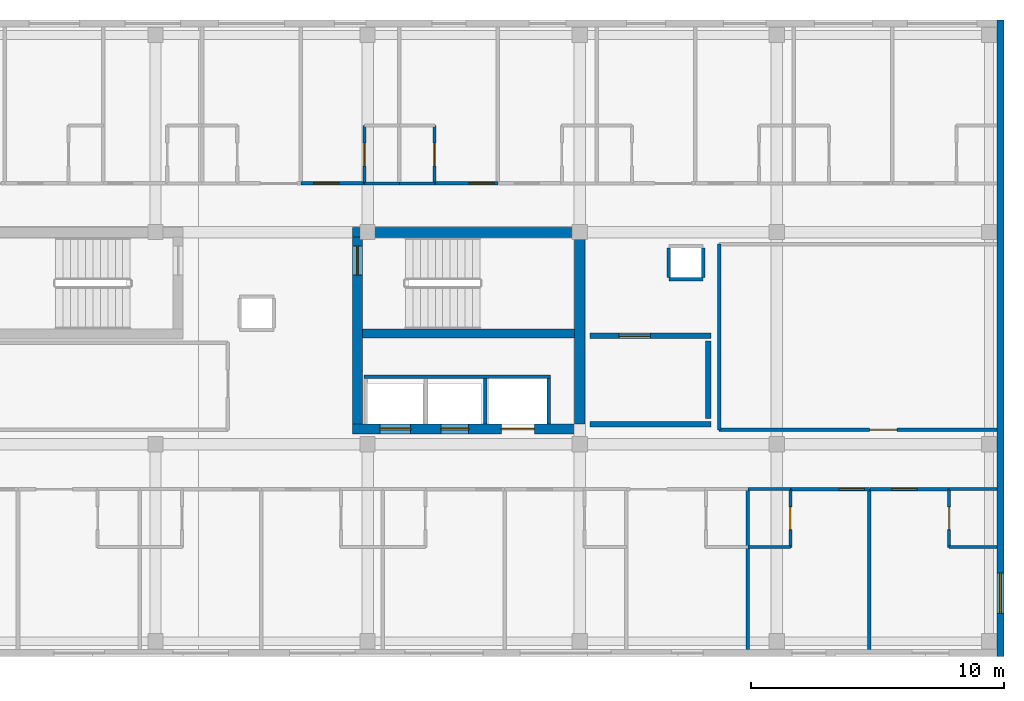
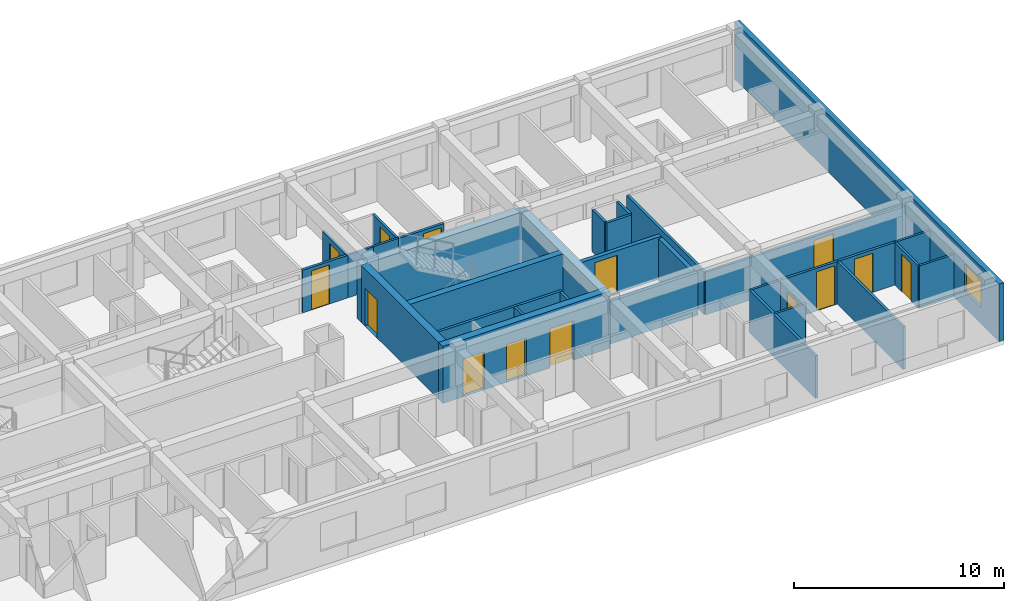
# One storey, part 6 of 9: 33 walls, 14 doors, 1 window, 15 openings.
"""IFC4 building model written with IfcOpenShell, lengths in metres."""

from ifc_helpers import new_model, si_unit, direction, frame, frame_2d, origin, place, context, subcontext, project, spatial, rectangle, extrude, material, layer, layer_set, type_object, element, fill, save


model = new_model("IFC4")

# Units and contexts
model_context = context("Model", 3, precision=1e-05, world=origin(), true_north=direction((0.0, 1.0)))
body_context = subcontext(model_context, "Body", "Model", "MODEL_VIEW")
ifc_project = project(units=[si_unit("LENGTHUNIT", "METRE"), si_unit("AREAUNIT", "SQUARE_METRE"), si_unit("VOLUMEUNIT", "CUBIC_METRE"), si_unit("PLANEANGLEUNIT", "RADIAN"), si_unit("MASSUNIT", "GRAM", prefix="KILO")], contexts=[model_context])

# Site, building, storey
site_placement = place(None, origin())
site = spatial("IfcSite", under=ifc_project, at=site_placement, CompositionType="ELEMENT")
building_placement = place(site_placement, origin())
building = spatial("IfcBuilding", under=site, at=building_placement, Name="Zayran Congress Hotel", CompositionType="ELEMENT")
storey_placement = place(building_placement, frame((0.0, 0.0, 37.199951171875)))
storey = spatial("IfcBuildingStorey", under=building, at=storey_placement, Name="L09", CompositionType="ELEMENT", Elevation=37.199951171875)

# Wall, opening, window
ifc_material_1 = material(Name="Hajar Ma'ani limestone cavity wall and concrete C32/40", Category="masonry")
ifc_layer_1 = layer(ifc_material_1, 0.280029296875)
ifc_layer_set_1 = layer_set([ifc_layer_1], Name="Hajar Ma'ani limestone cavity wall and concrete C32/40")
wall_type_1 = type_object("IfcWallType", Name="WL-EX-280", PredefinedType="SOLIDWALL", material=ifc_layer_set_1)
wall_1_placement = place(storey_placement, frame((75.4599609375, 34.0, 0.0), z_axis=(0.0, 0.0, 1.0), x_axis=(0.0, -1.0, 0.0)))
wall_1 = element("IfcWall", 1, at=wall_1_placement, inside=storey, type_object=wall_type_1, Name="EW-V5-E-L09", PredefinedType="SOLIDWALL", context=body_context, shape_type="SweptSolid", body=[
    extrude(rectangle(XDim=25.199951171875, YDim=0.280029296875, at=frame_2d((12.60009765625, 0.0))), origin(), (0.0, 0.0, 1.0), 3.340087890625),
])
opening_1_placement = place(wall_1_placement, frame((21.89990234375, 0.0, 0.949951171875)))
opening_1 = element("IfcOpeningElement", 2, at=opening_1_placement, cuts=wall_1, Name="Opening WN-15", PredefinedType="OPENING", context=body_context, shape_type="SweptSolid", body=[
    extrude(rectangle(XDim=1.60009765625, YDim=1.60009765625, at=frame_2d((0.800048828125, 0.800048828125))), frame((0.0, 0.14990234375, 0.0), z_axis=(0.0, -1.0, 0.0), x_axis=(1.0, 0.0, 0.0)), (0.0, 0.0, 1.0), 0.300048828125),
])
ifc_material_2 = material(Name="Anodised aluminium and low-E insulated glass", Category="aluminium")
window_type = type_object("IfcWindowType", Name="TP-WN-15", PartitioningType="SINGLE_PANEL", PredefinedType="WINDOW", material=ifc_material_2)
window_placement = place(opening_1_placement, origin())
window = element("IfcWindow", 3, at=window_placement, inside=storey, type_object=window_type, Name="WIN-V5E-L09", OverallHeight=1.60009765625, OverallWidth=1.60009765625, PartitioningType="SINGLE_PANEL", PredefinedType="WINDOW", context=body_context, shape_type="SweptSolid", body=[
    extrude(rectangle(XDim=1.60009765625, YDim=1.60009765625, at=frame_2d((0.800048828125, 0.800048828125))), frame((0.0, 0.030029296875, 0.0), z_axis=(0.0, -1.0, 0.0), x_axis=(1.0, 0.0, 0.0)), (0.0, 0.0, 1.0), 0.06005859375),
])
fill(opening_1, window)

# Wall, openings, doors
ifc_material_3 = material(Name="Concrete C40/50", Category="concrete")
ifc_layer_2 = layer(ifc_material_3, 0.39990234375)
ifc_layer_set_2 = layer_set([ifc_layer_2], Name="Concrete C40/50")
wall_type_2 = type_object("IfcWallType", Name="WL-SH-400", PredefinedType="SHEAR", material=ifc_layer_set_2)
wall_2_placement = place(storey_placement, frame((49.800048828125, 17.800048828125, 0.0), z_axis=(0.0, 0.0, 1.0), x_axis=(1.0, 0.0, 0.0)))
wall_2 = element("IfcWall", 4, at=wall_2_placement, inside=storey, type_object=wall_type_2, Name="CWALL-C-V5E-L09-S", PredefinedType="SHEAR", context=body_context, shape_type="SweptSolid", body=[
    extrude(rectangle(XDim=9.199951171875, YDim=0.39990234375, at=frame_2d((4.60009765625, 0.0))), origin(), (0.0, 0.0, 1.0), 3.320068359375),
])
opening_2_placement = place(wall_2_placement, frame((1.10009765625, 0.0, 0.0)))
opening_2 = element("IfcOpeningElement", 5, at=opening_2_placement, cuts=wall_2, Name="Opening LD-FL02", PredefinedType="OPENING", context=body_context, shape_type="SweptSolid", body=[
    extrude(rectangle(XDim=1.199951171875, YDim=2.199951171875, at=frame_2d((0.60009765625, 1.10009765625))), frame((0.0, 0.2099609375, 0.0), z_axis=(0.0, -1.0, 0.0), x_axis=(1.0, 0.0, 0.0)), (0.0, 0.0, 1.0), 0.419921875),
])
opening_3_placement = place(wall_2_placement, frame((3.5, 0.0, 0.0)))
opening_3 = element("IfcOpeningElement", 6, at=opening_3_placement, cuts=wall_2, Name="Opening LD-PL03", PredefinedType="OPENING", context=body_context, shape_type="SweptSolid", body=[
    extrude(rectangle(XDim=1.10009765625, YDim=2.199951171875, at=frame_2d((0.550048828125, 1.10009765625))), frame((0.0, 0.2099609375, 0.0), z_axis=(0.0, -1.0, 0.0), x_axis=(1.0, 0.0, 0.0)), (0.0, 0.0, 1.0), 0.419921875),
])
opening_4_placement = place(wall_2_placement, frame((5.89990234375, 0.0, 0.0)))
opening_4 = element("IfcOpeningElement", 7, at=opening_4_placement, cuts=wall_2, Name="Opening LD-SV01", PredefinedType="OPENING", context=body_context, shape_type="SweptSolid", body=[
    extrude(rectangle(XDim=1.300048828125, YDim=2.300048828125, at=frame_2d((0.64990234375, 1.14990234375))), frame((0.0, 0.2099609375, 0.0), z_axis=(0.0, -1.0, 0.0), x_axis=(1.0, 0.0, 0.0)), (0.0, 0.0, 1.0), 0.419921875),
])
ifc_material_4 = material(Name="Brushed stainless steel sliding lift landing door", Category="steel")
door_type_1 = type_object("IfcDoorType", Name="TP-DR-LD-01", OperationType="DOUBLE_DOOR_SLIDING", PredefinedType="DOOR", material=ifc_material_4)
door_1_placement = place(opening_3_placement, origin())
door_1 = element("IfcDoor", 8, at=door_1_placement, inside=storey, type_object=door_type_1, Name="Lift PL-03 Sliding Landing Door L09", OperationType="DOUBLE_DOOR_SLIDING", OverallHeight=2.199951171875, OverallWidth=1.10009765625, PredefinedType="DOOR", context=body_context, shape_type="SweptSolid", body=[
    extrude(rectangle(XDim=1.10009765625, YDim=2.199951171875, at=frame_2d((0.550048828125, 1.10009765625))), frame((0.0, 0.02490234375, 0.0), z_axis=(0.0, -1.0, 0.0), x_axis=(1.0, 0.0, 0.0)), (0.0, 0.0, 1.0), 0.050048828125),
])
fill(opening_3, door_1)
ifc_material_5 = material(Name="Brushed stainless steel firefighting lift landing door", Category="steel")
door_type_2 = type_object("IfcDoorType", Name="TP-DR-LD-02", OperationType="DOUBLE_DOOR_SLIDING", PredefinedType="DOOR", material=ifc_material_5)
door_2_placement = place(opening_2_placement, origin())
door_2 = element("IfcDoor", 9, at=door_2_placement, inside=storey, type_object=door_type_2, Name="Lift FL-02 Sliding Landing Door L09", OperationType="DOUBLE_DOOR_SLIDING", OverallHeight=2.199951171875, OverallWidth=1.199951171875, PredefinedType="DOOR", context=body_context, shape_type="SweptSolid", body=[
    extrude(rectangle(XDim=1.199951171875, YDim=2.199951171875, at=frame_2d((0.60009765625, 1.10009765625))), frame((0.0, 0.02490234375, 0.0), z_axis=(0.0, -1.0, 0.0), x_axis=(1.0, 0.0, 0.0)), (0.0, 0.0, 1.0), 0.050048828125),
])
fill(opening_2, door_2)
ifc_material_6 = material(Name="Heavy-duty stainless steel service lift landing door", Category="steel")
door_type_3 = type_object("IfcDoorType", Name="TP-DR-LD-03", OperationType="DOUBLE_DOOR_SLIDING", PredefinedType="DOOR", material=ifc_material_6)
door_3_placement = place(opening_4_placement, origin())
door_3 = element("IfcDoor", 10, at=door_3_placement, inside=storey, type_object=door_type_3, Name="Lift SV-01 Sliding Landing Door L09", OperationType="DOUBLE_DOOR_SLIDING", OverallHeight=2.300048828125, OverallWidth=1.300048828125, PredefinedType="DOOR", context=body_context, shape_type="SweptSolid", body=[
    extrude(rectangle(XDim=1.300048828125, YDim=2.300048828125, at=frame_2d((0.64990234375, 1.14990234375))), frame((0.0, 0.02490234375, 0.0), z_axis=(0.0, -1.0, 0.0), x_axis=(1.0, 0.0, 0.0)), (0.0, 0.0, 1.0), 0.050048828125),
])
fill(opening_4, door_3)

# Wall
wall_3_placement = place(storey_placement, frame((59.0, 25.5849609375, 0.0), z_axis=(0.0, 0.0, 1.0), x_axis=(-1.0, 0.0, 0.0)))
element("IfcWall", 11, at=wall_3_placement, inside=storey, type_object=wall_type_2, Name="CWALL-C-V5E-L09-N", PredefinedType="SHEAR", context=body_context, shape_type="SweptSolid", body=[
    extrude(rectangle(XDim=9.199951171875, YDim=0.39990234375, at=frame_2d((4.60009765625, 0.0))), origin(), (0.0, 0.0, 1.0), 3.320068359375),
])

# Wall, opening, door
wall_4_placement = place(storey_placement, frame((50.0, 25.39990234375, 0.0), z_axis=(0.0, 0.0, 1.0), x_axis=(0.0, -1.0, 0.0)))
wall_4 = element("IfcWall", 12, at=wall_4_placement, inside=storey, type_object=wall_type_2, Name="CWALL-C-V5E-L09-W", PredefinedType="SHEAR", context=body_context, shape_type="SweptSolid", body=[
    extrude(rectangle(XDim=7.39990234375, YDim=0.39990234375, at=frame_2d((3.699951171875, 0.0))), origin(), (0.0, 0.0, 1.0), 3.320068359375),
])
opening_5_placement = place(wall_4_placement, frame((0.35009765625, 0.0, 0.0)))
opening_5 = element("IfcOpeningElement", 13, at=opening_5_placement, cuts=wall_4, Name="Opening DR-FD-90", PredefinedType="OPENING", context=body_context, shape_type="SweptSolid", body=[
    extrude(rectangle(XDim=1.14990234375, YDim=2.199951171875, at=frame_2d((0.574951171875, 1.10009765625))), frame((0.0, 0.2099609375, 0.0), z_axis=(0.0, -1.0, 0.0), x_axis=(1.0, 0.0, 0.0)), (0.0, 0.0, 1.0), 0.419921875),
])
ifc_material_7 = material(Name="Painted steel fire door assembly", Category="steel")
door_type_4 = type_object("IfcDoorType", Name="TP-DR-FD-90", OperationType="NOTDEFINED", PredefinedType="DOOR", material=ifc_material_7)
door_4_placement = place(opening_5_placement, origin())
door_4 = element("IfcDoor", 14, at=door_4_placement, inside=storey, type_object=door_type_4, Name="ST-02 Exit Stair Door L09", OperationType="SINGLE_SWING_LEFT", OverallHeight=2.199951171875, OverallWidth=1.14990234375, PredefinedType="DOOR", context=body_context, shape_type="SweptSolid", body=[
    extrude(rectangle(XDim=1.14990234375, YDim=2.199951171875, at=frame_2d((0.574951171875, 1.10009765625))), frame((0.0, 0.02490234375, 0.0), z_axis=(0.0, -1.0, 0.0), x_axis=(1.0, 0.0, 0.0)), (0.0, 0.0, 1.0), 0.050048828125),
])
fill(opening_5, door_4)

# Walls
wall_5_placement = place(storey_placement, frame((58.800048828125, 18.0, 0.0), z_axis=(0.0, 0.0, 1.0), x_axis=(0.0, 1.0, 0.0)))
element("IfcWall", 15, at=wall_5_placement, inside=storey, type_object=wall_type_2, Name="CWALL-C-V5E-L09-E", PredefinedType="SHEAR", context=body_context, shape_type="SweptSolid", body=[
    extrude(rectangle(XDim=7.39990234375, YDim=0.39990234375, at=frame_2d((3.699951171875, 0.0))), origin(), (0.0, 0.0, 1.0), 3.320068359375),
])
ifc_layer_3 = layer(ifc_material_3, 0.35009765625)
ifc_layer_set_3 = layer_set([ifc_layer_3], Name="Concrete C40/50")
wall_type_3 = type_object("IfcWallType", Name="WL-SH-350", PredefinedType="SHEAR", material=ifc_layer_set_3)
wall_6_placement = place(storey_placement, frame((50.199951171875, 21.5849609375, 0.0), z_axis=(0.0, 0.0, 1.0), x_axis=(1.0, 0.0, 0.0)))
element("IfcWall", 16, at=wall_6_placement, inside=storey, type_object=wall_type_3, Name="CWALL-C-V5E-L09-SPN", PredefinedType="SHEAR", context=body_context, shape_type="SweptSolid", body=[
    extrude(rectangle(XDim=8.400146484375, YDim=0.35009765625, at=frame_2d((4.2001953125, 0.0))), origin(), (0.0, 0.0, 1.0), 3.320068359375),
])
ifc_material_8 = material(Name="Concrete C32/40 fire wall", Category="concrete")
ifc_layer_4 = layer(ifc_material_8, 0.219970703125)
ifc_layer_set_4 = layer_set([ifc_layer_4], Name="Concrete C32/40 fire wall")
wall_type_4 = type_object("IfcWallType", Name="WL-FF-220", PredefinedType="SOLIDWALL", material=ifc_layer_set_4)
wall_7_placement = place(storey_placement, frame((59.199951171875, 18.0, 0.0), z_axis=(0.0, 0.0, 1.0), x_axis=(1.0, 0.0, 0.0)))
element("IfcWall", 17, at=wall_7_placement, inside=storey, type_object=wall_type_4, Name="FFWL-C-V5E-L09-S", PredefinedType="SOLIDWALL", context=body_context, shape_type="SweptSolid", body=[
    extrude(rectangle(XDim=4.800048828125, YDim=0.219970703125, at=frame_2d((2.39990234375, 0.0))), origin(), (0.0, 0.0, 1.0), 2.469970703125),
])

# Wall, opening, door
wall_8_placement = place(storey_placement, frame((59.199951171875, 21.5, 0.0), z_axis=(0.0, 0.0, 1.0), x_axis=(1.0, 0.0, 0.0)))
wall_8 = element("IfcWall", 18, at=wall_8_placement, inside=storey, type_object=wall_type_4, Name="FFWL-C-V5E-L09-N", PredefinedType="SOLIDWALL", context=body_context, shape_type="SweptSolid", body=[
    extrude(rectangle(XDim=4.800048828125, YDim=0.219970703125, at=frame_2d((2.39990234375, 0.0))), origin(), (0.0, 0.0, 1.0), 2.469970703125),
])
opening_6_placement = place(wall_8_placement, frame((1.14990234375, 0.0, 0.0)))
opening_6 = element("IfcOpeningElement", 19, at=opening_6_placement, cuts=wall_8, Name="Opening DR-FF-60", PredefinedType="OPENING", context=body_context, shape_type="SweptSolid", body=[
    extrude(rectangle(XDim=1.25, YDim=2.199951171875, at=frame_2d((0.625, 1.10009765625))), frame((0.0, 0.119873046875, 0.0), z_axis=(0.0, -1.0, 0.0), x_axis=(1.0, 0.0, 0.0)), (0.0, 0.0, 1.0), 0.239990234375),
])
ifc_material_9 = material(Name="Painted steel smoke-seal fire door", Category="steel")
door_type_5 = type_object("IfcDoorType", Name="TP-DR-FF-60", OperationType="NOTDEFINED", PredefinedType="DOOR", material=ifc_material_9)
door_5_placement = place(opening_6_placement, origin())
door_5 = element("IfcDoor", 20, at=door_5_placement, inside=storey, type_object=door_type_5, Name="Firefighting Lift Lobby Door C-V5E L09", OperationType="SINGLE_SWING_RIGHT", OverallHeight=2.199951171875, OverallWidth=1.25, PredefinedType="DOOR", context=body_context, shape_type="SweptSolid", body=[
    extrude(rectangle(XDim=1.25, YDim=2.199951171875, at=frame_2d((0.625, 1.10009765625))), frame((0.0, 0.02490234375, 0.0), z_axis=(0.0, -1.0, 0.0), x_axis=(1.0, 0.0, 0.0)), (0.0, 0.0, 1.0), 0.050048828125),
])
fill(opening_6, door_5)

# Walls
wall_9_placement = place(storey_placement, frame((63.889892578125, 18.219970703125, 0.0), z_axis=(0.0, 0.0, 1.0), x_axis=(0.0, 1.0, 0.0)))
element("IfcWall", 21, at=wall_9_placement, inside=storey, type_object=wall_type_4, Name="FFWL-C-V5E-L09-SD", PredefinedType="SOLIDWALL", context=body_context, shape_type="SweptSolid", body=[
    extrude(rectangle(XDim=3.06005859375, YDim=0.219970703125, at=frame_2d((1.530029296875, 0.0))), origin(), (0.0, 0.0, 1.0), 2.469970703125),
])
ifc_material_10 = material(Name="Hospitality guestroom acoustic partition", Category="gypsum")
ifc_layer_5 = layer(ifc_material_10, 0.139892578125)
ifc_layer_set_5 = layer_set([ifc_layer_5], Name="Hospitality guestroom acoustic partition")
wall_type_5 = type_object("IfcWallType", Name="WL-PT-140", PredefinedType="PARTITIONING", material=ifc_layer_set_5)
for number, where, z_axis, x_axis, name in (
    (22, (55.050048828125, 18.0, 0.0), (0.0, 0.0, 1.0), (0.0, 1.0, 0.0), "LSHW-C-V5E-L09-DIV2"),
    (23, (57.570068359375, 18.0, 0.0), (0.0, 0.0, 1.0), (0.0, 1.0, 0.0), "LSHW-C-V5E-L09-E"),
):
    element("IfcWall", number, at=place(storey_placement, frame(where, z_axis=z_axis, x_axis=x_axis)), inside=storey, type_object=wall_type_5, Name=name, PredefinedType="PARTITIONING", context=body_context, shape_type="SweptSolid", body=[
        extrude(rectangle(XDim=1.800048828125, YDim=0.139892578125, at=frame_2d((0.89990234375, 0.0))), origin(), (0.0, 0.0, 1.0), 2.469970703125),
    ])
wall_10_placement = place(storey_placement, frame((50.260009765625, 19.8701171875, 0.0), z_axis=(0.0, 0.0, 1.0), x_axis=(1.0, 0.0, 0.0)))
element("IfcWall", 24, at=wall_10_placement, inside=storey, type_object=wall_type_5, Name="LSHW-C-V5E-L09-N", PredefinedType="PARTITIONING", context=body_context, shape_type="SweptSolid", body=[
    extrude(rectangle(XDim=7.3798828125, YDim=0.139892578125, at=frame_2d((3.68994140625, 0.0))), origin(), (0.0, 0.0, 1.0), 2.469970703125),
])

# Wall, opening, door
wall_11_placement = place(storey_placement, frame((64.320068359375, 17.780029296875, 0.0), z_axis=(0.0, 0.0, 1.0), x_axis=(1.0, 0.0, 0.0)))
wall_11 = element("IfcWall", 25, at=wall_11_placement, inside=storey, type_object=wall_type_5, Name="IW-L09-0785", PredefinedType="PARTITIONING", context=body_context, shape_type="SweptSolid", body=[
    extrude(rectangle(XDim=11.0, YDim=0.139892578125, at=frame_2d((5.5, 0.0))), origin(), (0.0, 0.0, 1.0), 2.47998046875),
])
opening_7_placement = place(wall_11_placement, frame((5.9580078125, 0.0, 0.0)))
opening_7 = element("IfcOpeningElement", 26, at=opening_7_placement, cuts=wall_11, Name="Opening DR-MT-01", PredefinedType="OPENING", context=body_context, shape_type="SweptSolid", body=[
    extrude(rectangle(XDim=1.080078125, YDim=2.25, at=frame_2d((0.5400390625, 1.125))), frame((0.0, 0.079833984375, 0.0), z_axis=(0.0, -1.0, 0.0), x_axis=(1.0, 0.0, 0.0)), (0.0, 0.0, 1.0), 0.159912109375),
])
ifc_material_11 = material(Name="Acoustic timber seminar room door", Category="wood")
door_type_6 = type_object("IfcDoorType", Name="TP-DR-MT-01", OperationType="NOTDEFINED", PredefinedType="DOOR", material=ifc_material_11)
door_6_placement = place(opening_7_placement, origin())
door_6 = element("IfcDoor", 27, at=door_6_placement, inside=storey, type_object=door_type_6, Name="Delegate Study Salon East L09 Door", OperationType="SINGLE_SWING_RIGHT", OverallHeight=2.25, OverallWidth=1.080078125, PredefinedType="DOOR", context=body_context, shape_type="SweptSolid", body=[
    extrude(rectangle(XDim=1.080078125, YDim=2.25, at=frame_2d((0.5400390625, 1.125))), frame((0.0, 0.02490234375, 0.0), z_axis=(0.0, -1.0, 0.0), x_axis=(1.0, 0.0, 0.0)), (0.0, 0.0, 1.0), 0.050048828125),
])
fill(opening_7, door_6)

wall_12_placement = place(storey_placement, frame((67.136962890625, 15.419921875, 0.0), z_axis=(0.0, 0.0, 1.0), x_axis=(1.0, 0.0, 0.0)))
wall_12 = element("IfcWall", 28, at=wall_12_placement, inside=storey, type_object=wall_type_5, Name="IW-L09-0796", PredefinedType="PARTITIONING", context=body_context, shape_type="SweptSolid", body=[
    extrude(rectangle(XDim=3.135986328125, YDim=0.139892578125, at=frame_2d((1.56787109375, 0.0))), origin(), (0.0, 0.0, 1.0), 2.47998046875),
])
opening_8_placement = place(wall_12_placement, frame((1.929931640625, 0.0, 0.0)))
opening_8 = element("IfcOpeningElement", 29, at=opening_8_placement, cuts=wall_12, Name="Opening DR-GR-04", PredefinedType="OPENING", context=body_context, shape_type="SweptSolid", body=[
    extrude(rectangle(XDim=1.0, YDim=2.280029296875, at=frame_2d((0.5, 1.14013671875))), frame((0.0, 0.079833984375, 0.0), z_axis=(0.0, -1.0, 0.0), x_axis=(1.0, 0.0, 0.0)), (0.0, 0.0, 1.0), 0.159912109375),
])
ifc_material_12 = material(Name="Diplomatic walnut veneer entry door", Category="wood")
door_type_7 = type_object("IfcDoorType", Name="TP-DR-GR-04", OperationType="NOTDEFINED", PredefinedType="DOOR", material=ifc_material_12)
door_7_placement = place(opening_8_placement, origin())
door_7 = element("IfcDoor", 30, at=door_7_placement, inside=storey, type_object=door_type_7, Name="Guest Room L09-11 Door", OperationType="SINGLE_SWING_RIGHT", OverallHeight=2.280029296875, OverallWidth=1.0, PredefinedType="DOOR", context=body_context, shape_type="SweptSolid", body=[
    extrude(rectangle(XDim=1.0, YDim=2.280029296875, at=frame_2d((0.5, 1.14013671875))), frame((0.0, 0.02490234375, 0.0), z_axis=(0.0, -1.0, 0.0), x_axis=(1.0, 0.0, 0.0)), (0.0, 0.0, 1.0), 0.050048828125),
])
fill(opening_8, door_7)

wall_13_placement = place(storey_placement, frame((70.29296875, 15.419921875, 0.0), z_axis=(0.0, 0.0, 1.0), x_axis=(1.0, 0.0, 0.0)))
wall_13 = element("IfcWall", 31, at=wall_13_placement, inside=storey, type_object=wall_type_5, Name="IW-L09-0797", PredefinedType="PARTITIONING", context=body_context, shape_type="SweptSolid", body=[
    extrude(rectangle(XDim=3.136962890625, YDim=0.139892578125, at=frame_2d((1.568359375, 0.0))), origin(), (0.0, 0.0, 1.0), 2.47998046875),
])
opening_9_placement = place(wall_13_placement, frame((0.8701171875, 0.0, 0.0)))
opening_9 = element("IfcOpeningElement", 32, at=opening_9_placement, cuts=wall_13, Name="Opening DR-GR-04", PredefinedType="OPENING", context=body_context, shape_type="SweptSolid", body=[
    extrude(rectangle(XDim=1.0, YDim=2.280029296875, at=frame_2d((0.5, 1.14013671875))), frame((0.0, 0.079833984375, 0.0), z_axis=(0.0, -1.0, 0.0), x_axis=(1.0, 0.0, 0.0)), (0.0, 0.0, 1.0), 0.159912109375),
])
door_8_placement = place(opening_9_placement, origin())
door_8 = element("IfcDoor", 33, at=door_8_placement, inside=storey, type_object=door_type_7, Name="Guest Room L09-12 Door", OperationType="SINGLE_SWING_LEFT", OverallHeight=2.280029296875, OverallWidth=1.0, PredefinedType="DOOR", context=body_context, shape_type="SweptSolid", body=[
    extrude(rectangle(XDim=1.0, YDim=2.280029296875, at=frame_2d((0.5, 1.14013671875))), frame((0.0, 0.02490234375, 0.0), z_axis=(0.0, -1.0, 0.0), x_axis=(1.0, 0.0, 0.0)), (0.0, 0.0, 1.0), 0.050048828125),
])
fill(opening_9, door_8)

wall_14_placement = place(storey_placement, frame((47.76904296875, 27.530029296875, 0.0), z_axis=(0.0, 0.0, 1.0), x_axis=(1.0, 0.0, 0.0)))
wall_14 = element("IfcWall", 34, at=wall_14_placement, inside=storey, type_object=wall_type_5, Name="IW-L09-0805", PredefinedType="PARTITIONING", context=body_context, shape_type="SweptSolid", body=[
    extrude(rectangle(XDim=2.510009765625, YDim=0.139892578125, at=frame_2d((1.2548828125, 0.0))), origin(), (0.0, 0.0, 1.0), 2.47998046875),
])
opening_10_placement = place(wall_14_placement, frame((0.490966796875, 0.0, 0.0)))
opening_10 = element("IfcOpeningElement", 35, at=opening_10_placement, cuts=wall_14, Name="Opening DR-GR-04", PredefinedType="OPENING", context=body_context, shape_type="SweptSolid", body=[
    extrude(rectangle(XDim=1.0, YDim=2.280029296875, at=frame_2d((0.5, 1.14013671875))), frame((0.0, 0.079833984375, 0.0), z_axis=(0.0, -1.0, 0.0), x_axis=(1.0, 0.0, 0.0)), (0.0, 0.0, 1.0), 0.159912109375),
])
door_9_placement = place(opening_10_placement, origin())
door_9 = element("IfcDoor", 36, at=door_9_placement, inside=storey, type_object=door_type_7, Name="Guest Room L09-18 Door", OperationType="SINGLE_SWING_RIGHT", OverallHeight=2.280029296875, OverallWidth=1.0, PredefinedType="DOOR", context=body_context, shape_type="SweptSolid", body=[
    extrude(rectangle(XDim=1.0, YDim=2.280029296875, at=frame_2d((0.5, 1.14013671875))), frame((0.0, 0.02490234375, 0.0), z_axis=(0.0, -1.0, 0.0), x_axis=(1.0, 0.0, 0.0)), (0.0, 0.0, 1.0), 0.050048828125),
])
fill(opening_10, door_9)

wall_15_placement = place(storey_placement, frame((53.051025390625, 27.530029296875, 0.0), z_axis=(0.0, 0.0, 1.0), x_axis=(1.0, 0.0, 0.0)))
wall_15 = element("IfcWall", 37, at=wall_15_placement, inside=storey, type_object=wall_type_5, Name="IW-L09-0806", PredefinedType="PARTITIONING", context=body_context, shape_type="SweptSolid", body=[
    extrude(rectangle(XDim=2.510009765625, YDim=0.139892578125, at=frame_2d((1.2548828125, 0.0))), origin(), (0.0, 0.0, 1.0), 2.47998046875),
])
opening_11_placement = place(wall_15_placement, frame((1.3701171875, 0.0, 0.0)))
opening_11 = element("IfcOpeningElement", 38, at=opening_11_placement, cuts=wall_15, Name="Opening DR-GR-04", PredefinedType="OPENING", context=body_context, shape_type="SweptSolid", body=[
    extrude(rectangle(XDim=1.0, YDim=2.280029296875, at=frame_2d((0.5, 1.14013671875))), frame((0.0, 0.079833984375, 0.0), z_axis=(0.0, -1.0, 0.0), x_axis=(1.0, 0.0, 0.0)), (0.0, 0.0, 1.0), 0.159912109375),
])
door_10_placement = place(opening_11_placement, origin())
door_10 = element("IfcDoor", 39, at=door_10_placement, inside=storey, type_object=door_type_7, Name="Guest Room L09-19 Door", OperationType="SINGLE_SWING_LEFT", OverallHeight=2.280029296875, OverallWidth=1.0, PredefinedType="DOOR", context=body_context, shape_type="SweptSolid", body=[
    extrude(rectangle(XDim=1.0, YDim=2.280029296875, at=frame_2d((0.5, 1.14013671875))), frame((0.0, 0.02490234375, 0.0), z_axis=(0.0, -1.0, 0.0), x_axis=(1.0, 0.0, 0.0)), (0.0, 0.0, 1.0), 0.050048828125),
])
fill(opening_11, door_10)

# Walls
wall_16_placement = place(storey_placement, frame((64.330078125, 17.77001953125, 0.0), z_axis=(0.0, 0.0, 1.0), x_axis=(0.0, 1.0, 0.0)))
element("IfcWall", 40, at=wall_16_placement, inside=storey, type_object=wall_type_5, Name="IW-L09-2121", PredefinedType="PARTITIONING", context=body_context, shape_type="SweptSolid", body=[
    extrude(rectangle(XDim=7.35986328125, YDim=0.139892578125, at=frame_2d((3.679931640625, 0.0))), origin(), (0.0, 0.0, 1.0), 2.47998046875),
])
for number, where, z_axis, x_axis, name in (
    (41, (65.45703125, 9.080078125, 0.0), (0.0, 0.0, 1.0), (0.0, 1.0, 0.0), "IW-L09-2131"),
    (42, (70.27294921875, 9.080078125, 0.0), (0.0, 0.0, 1.0), (0.0, 1.0, 0.0), "IW-L09-2132"),
):
    element("IfcWall", number, at=place(storey_placement, frame(where, z_axis=z_axis, x_axis=x_axis)), inside=storey, type_object=wall_type_5, Name=name, PredefinedType="PARTITIONING", context=body_context, shape_type="SweptSolid", body=[
        extrude(rectangle(XDim=6.349853515625, YDim=0.139892578125, at=frame_2d((3.1748046875, 0.0))), origin(), (0.0, 0.0, 1.0), 2.47998046875),
    ])
wall_17_placement = place(storey_placement, frame((62.330078125, 23.72998046875, 0.0), z_axis=(0.0, 0.0, 1.0), x_axis=(1.0, 0.0, 0.0)))
element("IfcWall", 43, at=wall_17_placement, inside=storey, type_object=wall_type_5, Name="RSWL-V5-L09-052-S", PredefinedType="PARTITIONING", context=body_context, shape_type="SweptSolid", body=[
    extrude(rectangle(XDim=1.35986328125, YDim=0.139892578125, at=frame_2d((0.679931640625, 0.0))), origin(), (0.0, 0.0, 1.0), 2.43994140625),
])
for number, where, z_axis, x_axis, name in (
    (44, (62.330078125, 24.97998046875, 0.0), (0.0, 0.0, 1.0), (0.0, -1.0, 0.0), "RSWL-V5-L09-052-W"),
    (45, (63.68994140625, 23.800048828125, 0.0), (0.0, 0.0, 1.0), (0.0, 1.0, 0.0), "RSWL-V5-L09-052-E"),
):
    element("IfcWall", number, at=place(storey_placement, frame(where, z_axis=z_axis, x_axis=x_axis)), inside=storey, type_object=wall_type_5, Name=name, PredefinedType="PARTITIONING", context=body_context, shape_type="SweptSolid", body=[
        extrude(rectangle(XDim=1.179931640625, YDim=0.139892578125, at=frame_2d((0.58984375, 0.0))), origin(), (0.0, 0.0, 1.0), 2.43994140625),
    ])

# Wall, opening, door
ifc_material_13 = material(Name="Moisture-resistant bathroom partition", Category="gypsum")
ifc_layer_6 = layer(ifc_material_13, 0.1201171875)
ifc_layer_set_6 = layer_set([ifc_layer_6], Name="Moisture-resistant bathroom partition")
wall_type_6 = type_object("IfcWallType", Name="WL-PT-120", PredefinedType="PARTITIONING", material=ifc_layer_set_6)
wall_18_placement = place(storey_placement, frame((67.136962890625, 13.1201171875, 0.0), z_axis=(0.0, 0.0, 1.0), x_axis=(0.0, 1.0, 0.0)))
wall_18 = element("IfcWall", 46, at=wall_18_placement, inside=storey, type_object=wall_type_6, Name="IW-L09-0281", PredefinedType="PARTITIONING", context=body_context, shape_type="SweptSolid", body=[
    extrude(rectangle(XDim=2.309814453125, YDim=0.1201171875, at=frame_2d((1.15478515625, 0.0))), origin(), (0.0, 0.0, 1.0), 2.47998046875),
])
opening_12_placement = place(wall_18_placement, frame((0.705078125, 0.0, 0.0)))
opening_12 = element("IfcOpeningElement", 47, at=opening_12_placement, cuts=wall_18, Name="Opening DR-BT-03", PredefinedType="OPENING", context=body_context, shape_type="SweptSolid", body=[
    extrude(rectangle(XDim=0.89990234375, YDim=2.179931640625, at=frame_2d((0.449951171875, 1.08984375))), frame((0.0, 0.070068359375, 0.0), z_axis=(0.0, -1.0, 0.0), x_axis=(1.0, 0.0, 0.0)), (0.0, 0.0, 1.0), 0.14013671875),
])
ifc_material_14 = material(Name="Suite oak en-suite bathroom door", Category="wood")
door_type_8 = type_object("IfcDoorType", Name="TP-DR-BT-03", OperationType="NOTDEFINED", PredefinedType="DOOR", material=ifc_material_14)
door_11_placement = place(opening_12_placement, origin())
door_11 = element("IfcDoor", 48, at=door_11_placement, inside=storey, type_object=door_type_8, Name="En-Suite Bathroom L09-11 Door", OperationType="SINGLE_SWING_RIGHT", OverallHeight=2.179931640625, OverallWidth=0.89990234375, PredefinedType="DOOR", context=body_context, shape_type="SweptSolid", body=[
    extrude(rectangle(XDim=0.89990234375, YDim=2.179931640625, at=frame_2d((0.449951171875, 1.08984375))), frame((0.0, 0.02490234375, 0.0), z_axis=(0.0, -1.0, 0.0), x_axis=(1.0, 0.0, 0.0)), (0.0, 0.0, 1.0), 0.050048828125),
])
fill(opening_12, door_11)

wall_19_placement = place(storey_placement, frame((73.429931640625, 13.1201171875, 0.0), z_axis=(0.0, 0.0, 1.0), x_axis=(0.0, 1.0, 0.0)))
wall_19 = element("IfcWall", 49, at=wall_19_placement, inside=storey, type_object=wall_type_6, Name="IW-L09-0282", PredefinedType="PARTITIONING", context=body_context, shape_type="SweptSolid", body=[
    extrude(rectangle(XDim=2.309814453125, YDim=0.1201171875, at=frame_2d((1.15478515625, 0.0))), origin(), (0.0, 0.0, 1.0), 2.47998046875),
])
opening_13_placement = place(wall_19_placement, frame((0.705078125, 0.0, 0.0)))
opening_13 = element("IfcOpeningElement", 50, at=opening_13_placement, cuts=wall_19, Name="Opening DR-BT-03", PredefinedType="OPENING", context=body_context, shape_type="SweptSolid", body=[
    extrude(rectangle(XDim=0.89990234375, YDim=2.179931640625, at=frame_2d((0.449951171875, 1.08984375))), frame((0.0, 0.070068359375, 0.0), z_axis=(0.0, -1.0, 0.0), x_axis=(1.0, 0.0, 0.0)), (0.0, 0.0, 1.0), 0.14013671875),
])
door_12_placement = place(opening_13_placement, origin())
door_12 = element("IfcDoor", 51, at=door_12_placement, inside=storey, type_object=door_type_8, Name="En-Suite Bathroom L09-12 Door", OperationType="SINGLE_SWING_LEFT", OverallHeight=2.179931640625, OverallWidth=0.89990234375, PredefinedType="DOOR", context=body_context, shape_type="SweptSolid", body=[
    extrude(rectangle(XDim=0.89990234375, YDim=2.179931640625, at=frame_2d((0.449951171875, 1.08984375))), frame((0.0, 0.02490234375, 0.0), z_axis=(0.0, -1.0, 0.0), x_axis=(1.0, 0.0, 0.0)), (0.0, 0.0, 1.0), 0.050048828125),
])
fill(opening_13, door_12)

wall_20_placement = place(storey_placement, frame((50.279052734375, 27.52001953125, 0.0), z_axis=(0.0, 0.0, 1.0), x_axis=(0.0, 1.0, 0.0)))
wall_20 = element("IfcWall", 52, at=wall_20_placement, inside=storey, type_object=wall_type_6, Name="IW-L09-0288", PredefinedType="PARTITIONING", context=body_context, shape_type="SweptSolid", body=[
    extrude(rectangle(XDim=2.31005859375, YDim=0.1201171875, at=frame_2d((1.155029296875, 0.0))), origin(), (0.0, 0.0, 1.0), 2.47998046875),
])
opening_14_placement = place(wall_20_placement, frame((0.705078125, 0.0, 0.0)))
opening_14 = element("IfcOpeningElement", 53, at=opening_14_placement, cuts=wall_20, Name="Opening DR-BT-03", PredefinedType="OPENING", context=body_context, shape_type="SweptSolid", body=[
    extrude(rectangle(XDim=0.89990234375, YDim=2.179931640625, at=frame_2d((0.449951171875, 1.08984375))), frame((0.0, 0.070068359375, 0.0), z_axis=(0.0, -1.0, 0.0), x_axis=(1.0, 0.0, 0.0)), (0.0, 0.0, 1.0), 0.14013671875),
])
door_13_placement = place(opening_14_placement, origin())
door_13 = element("IfcDoor", 54, at=door_13_placement, inside=storey, type_object=door_type_8, Name="En-Suite Bathroom L09-18 Door", OperationType="SINGLE_SWING_LEFT", OverallHeight=2.179931640625, OverallWidth=0.89990234375, PredefinedType="DOOR", context=body_context, shape_type="SweptSolid", body=[
    extrude(rectangle(XDim=0.89990234375, YDim=2.179931640625, at=frame_2d((0.449951171875, 1.08984375))), frame((0.0, 0.02490234375, 0.0), z_axis=(0.0, -1.0, 0.0), x_axis=(1.0, 0.0, 0.0)), (0.0, 0.0, 1.0), 0.050048828125),
])
fill(opening_14, door_13)

wall_21_placement = place(storey_placement, frame((53.051025390625, 27.52001953125, 0.0), z_axis=(0.0, 0.0, 1.0), x_axis=(0.0, 1.0, 0.0)))
wall_21 = element("IfcWall", 55, at=wall_21_placement, inside=storey, type_object=wall_type_6, Name="IW-L09-0289", PredefinedType="PARTITIONING", context=body_context, shape_type="SweptSolid", body=[
    extrude(rectangle(XDim=2.31005859375, YDim=0.1201171875, at=frame_2d((1.155029296875, 0.0))), origin(), (0.0, 0.0, 1.0), 2.47998046875),
])
opening_15_placement = place(wall_21_placement, frame((0.705078125, 0.0, 0.0)))
opening_15 = element("IfcOpeningElement", 56, at=opening_15_placement, cuts=wall_21, Name="Opening DR-BT-03", PredefinedType="OPENING", context=body_context, shape_type="SweptSolid", body=[
    extrude(rectangle(XDim=0.89990234375, YDim=2.179931640625, at=frame_2d((0.449951171875, 1.08984375))), frame((0.0, 0.070068359375, 0.0), z_axis=(0.0, -1.0, 0.0), x_axis=(1.0, 0.0, 0.0)), (0.0, 0.0, 1.0), 0.14013671875),
])
door_14_placement = place(opening_15_placement, origin())
door_14 = element("IfcDoor", 57, at=door_14_placement, inside=storey, type_object=door_type_8, Name="En-Suite Bathroom L09-19 Door", OperationType="SINGLE_SWING_RIGHT", OverallHeight=2.179931640625, OverallWidth=0.89990234375, PredefinedType="DOOR", context=body_context, shape_type="SweptSolid", body=[
    extrude(rectangle(XDim=0.89990234375, YDim=2.179931640625, at=frame_2d((0.449951171875, 1.08984375))), frame((0.0, 0.02490234375, 0.0), z_axis=(0.0, -1.0, 0.0), x_axis=(1.0, 0.0, 0.0)), (0.0, 0.0, 1.0), 0.050048828125),
])
fill(opening_15, door_14)

# Walls
for number, where, z_axis, x_axis, name in (
    (58, (65.467041015625, 13.1298828125, 0.0), (0.0, 0.0, 1.0), (1.0, 0.0, 0.0), "IW-L09-1429"),
    (59, (65.467041015625, 15.419921875, 0.0), (0.0, 0.0, 1.0), (1.0, 0.0, 0.0), "IW-L09-1430"),
):
    element("IfcWall", number, at=place(storey_placement, frame(where, z_axis=z_axis, x_axis=x_axis)), inside=storey, type_object=wall_type_6, Name=name, PredefinedType="PARTITIONING", context=body_context, shape_type="SweptSolid", body=[
        extrude(rectangle(XDim=1.679931640625, YDim=0.1201171875, at=frame_2d((0.83984375, 0.0))), origin(), (0.0, 0.0, 1.0), 2.47998046875),
    ])
for number, where, z_axis, x_axis, name in (
    (60, (73.419921875, 13.1298828125, 0.0), (0.0, 0.0, 1.0), (1.0, 0.0, 0.0), "IW-L09-1431"),
    (61, (73.419921875, 15.419921875, 0.0), (0.0, 0.0, 1.0), (1.0, 0.0, 0.0), "IW-L09-1432"),
):
    element("IfcWall", number, at=place(storey_placement, frame(where, z_axis=z_axis, x_axis=x_axis)), inside=storey, type_object=wall_type_6, Name=name, PredefinedType="PARTITIONING", context=body_context, shape_type="SweptSolid", body=[
        extrude(rectangle(XDim=1.900146484375, YDim=0.1201171875, at=frame_2d((0.9501953125, 0.0))), origin(), (0.0, 0.0, 1.0), 2.47998046875),
    ])
wall_22_placement = place(storey_placement, frame((50.279052734375, 27.530029296875, 0.0), z_axis=(0.0, 0.0, 1.0), x_axis=(1.0, 0.0, 0.0)))
element("IfcWall", 62, at=wall_22_placement, inside=storey, type_object=wall_type_6, Name="IW-L09-1443", PredefinedType="PARTITIONING", context=body_context, shape_type="SweptSolid", body=[
    extrude(rectangle(XDim=1.385986328125, YDim=0.1201171875, at=frame_2d((0.69287109375, 0.0))), origin(), (0.0, 0.0, 1.0), 2.47998046875),
])
wall_23_placement = place(storey_placement, frame((51.6650390625, 27.530029296875, 0.0), z_axis=(0.0, 0.0, 1.0), x_axis=(1.0, 0.0, 0.0)))
element("IfcWall", 63, at=wall_23_placement, inside=storey, type_object=wall_type_6, Name="IW-L09-1445", PredefinedType="PARTITIONING", context=body_context, shape_type="SweptSolid", body=[
    extrude(rectangle(XDim=1.39599609375, YDim=0.1201171875, at=frame_2d((0.697998046875, 0.0))), origin(), (0.0, 0.0, 1.0), 2.47998046875),
])

save(model, "model.ifc")
